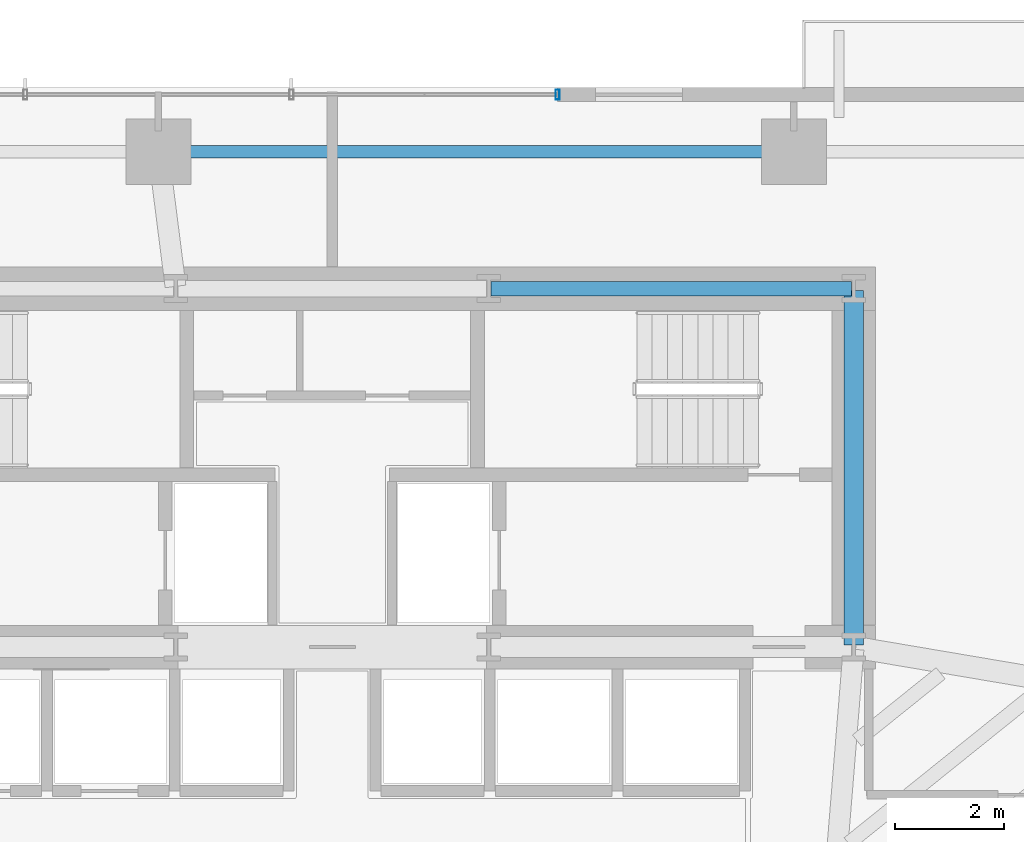
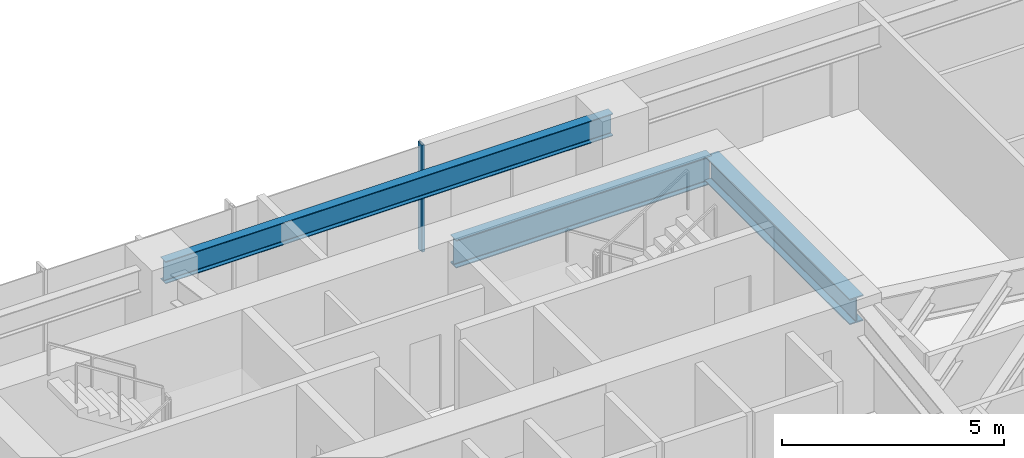
# One storey, part 15 of 25: 3 beams, 1 member, 1 element without a shape of its own.
"""IFC4 building model written with IfcOpenShell, lengths in metres."""

from ifc_helpers import new_model, si_unit, direction, frame, origin, origin_2d, place, context, subcontext, project, spatial, hollow_rectangle, i_section, extrude, source, transform, mapped, material, material_profile, profile_set, type_object, type_shapes, element, aggregate, save


model = new_model("IFC4")

# Units and contexts
model_context = context("Model", 3, precision=1e-05, world=origin(), true_north=direction((0.0, 1.0)))
body_context = subcontext(model_context, "Body", "Model", "MODEL_VIEW")
ifc_project = project(units=[si_unit("LENGTHUNIT", "METRE"), si_unit("AREAUNIT", "SQUARE_METRE"), si_unit("VOLUMEUNIT", "CUBIC_METRE"), si_unit("PLANEANGLEUNIT", "RADIAN"), si_unit("MASSUNIT", "GRAM", prefix="KILO")], contexts=[model_context])

# Site, building, storey
site_placement = place(None, origin())
site = spatial("IfcSite", under=ifc_project, at=site_placement, CompositionType="ELEMENT")
building_placement = place(site_placement, origin())
building = spatial("IfcBuilding", under=site, at=building_placement, Name="Astriad Promenade Condominiums", CompositionType="ELEMENT")
storey_placement = place(building_placement, frame((0.0, 0.0, 32.60009765625)))
storey = spatial("IfcBuildingStorey", under=building, at=storey_placement, Name="L08", CompositionType="ELEMENT", Elevation=32.60009765625)

# Beams
ifc_material_1 = material(Name="Steel ASTM A992 Grade 50", Category="steel")
ifc_material_profile_1 = material_profile(ifc_material_1, i_section(OverallWidth=0.267822265625, OverallDepth=0.76953125, WebThickness=0.015625, FlangeThickness=0.025390625, FilletRadius=0.021484375, at=origin_2d()), Name="W30X132")
ifc_profile_set_1 = profile_set([ifc_material_profile_1], Name="Steel ASTM A992 Grade 50")
beam_type_1 = type_object("IfcBeamType", Name="STEEL FLOOR GIRDER W30X132", PredefinedType="BEAM", material=ifc_profile_set_1)
shared_shape_1 = source(origin(), body_context, "Body", "SweptSolid", [
    extrude(i_section(OverallWidth=0.267822265625, OverallDepth=0.76953125, WebThickness=0.015625, FlangeThickness=0.025390625, FilletRadius=0.021484375, at=origin_2d()), origin(), (0.0, 0.0, 1.0), 6.64013671875),
])
type_shapes(beam_type_1, [shared_shape_1])
beam_1_placement = place(storey_placement, frame((38.919921875, 24.0, 2.55517578125), z_axis=(1.0, 0.0, 0.0), x_axis=(0.0, 1.0, 0.0)))
element("IfcBeam", 1, at=beam_1_placement, inside=storey, type_object=beam_type_1, Name="Core Ring Beam CG-N3-L08", PredefinedType="BEAM", context=body_context, shape_type="MappedRepresentation", body=[
    mapped(shared_shape_1, transform((0.0, 0.0, 0.0), scale=1.0)),
])
ifc_material_profile_2 = material_profile(ifc_material_1, i_section(OverallWidth=0.35791015625, OverallDepth=0.706298828125, WebThickness=0.018310546875, FlangeThickness=0.0302734375, FilletRadius=0.020263671875, at=origin_2d()), Name="W27X178")
ifc_profile_set_2 = profile_set([ifc_material_profile_2], Name="Steel ASTM A992 Grade 50")
beam_type_2 = type_object("IfcBeamType", Name="STEEL FLOOR GIRDER W27X178", PredefinedType="BEAM", material=ifc_profile_set_2)
shared_shape_2 = source(origin(), body_context, "Body", "SweptSolid", [
    extrude(i_section(OverallWidth=0.35791015625, OverallDepth=0.706298828125, WebThickness=0.018310546875, FlangeThickness=0.0302734375, FilletRadius=0.020263671875, at=origin_2d()), origin(), (0.0, 0.0, 1.0), 6.52001953125),
])
type_shapes(beam_type_2, [shared_shape_2])
beam_2_placement = place(storey_placement, frame((45.60009765625, 17.43994140625, 2.586669921875), z_axis=(0.0, 1.0, 0.0), x_axis=(-1.0, 0.0, 0.0)))
element("IfcBeam", 2, at=beam_2_placement, inside=storey, type_object=beam_type_2, Name="Core Ring Beam CG-E1-L08", PredefinedType="BEAM", context=body_context, shape_type="MappedRepresentation", body=[
    mapped(shared_shape_2, transform((0.0, 0.0, 0.0), scale=1.0)),
])
ifc_material_profile_3 = material_profile(ifc_material_1, i_section(OverallWidth=0.22900390625, OverallDepth=0.612060546875, WebThickness=0.011962890625, FlangeThickness=0.01953125, FilletRadius=0.017822265625, at=origin_2d()), Name="W24X84")
ifc_profile_set_3 = profile_set([ifc_material_profile_3], Name="Steel ASTM A992 Grade 50")
beam_type_3 = type_object("IfcBeamType", Name="STEEL SPANDREL BEAM W24X84", PredefinedType="SPANDREL", material=ifc_profile_set_3)
shared_shape_3 = source(origin(), body_context, "Body", "SweptSolid", [
    extrude(i_section(OverallWidth=0.22900390625, OverallDepth=0.612060546875, WebThickness=0.011962890625, FlangeThickness=0.01953125, FilletRadius=0.017822265625, at=origin_2d()), origin(), (0.0, 0.0, 1.0), 11.619873046875),
])
type_shapes(beam_type_3, [shared_shape_3])
beam_3_placement = place(storey_placement, frame((44.4599609375, 26.52001953125, 2.6337890625), z_axis=(-1.0, 0.0, 0.0), x_axis=(0.0, -1.0, 0.0)))
element("IfcBeam", 3, at=beam_3_placement, inside=storey, type_object=beam_type_3, Name="Perimeter Spandrel Beam SP-N3-L08", PredefinedType="SPANDREL", context=body_context, shape_type="MappedRepresentation", body=[
    mapped(shared_shape_3, transform((0.0, 0.0, 0.0), scale=1.0)),
])

# Curtain wall, member
ifc_material_2 = material(Name="Anodised aluminium Black Dark Glass Unitised", Category="aluminium")
curtain_wall_type = type_object("IfcCurtainWallType", Name="CW-B1-DARK", PredefinedType="USERDEFINED", material=ifc_material_2)
curtain_wall_placement = place(storey_placement, origin())
curtain_wall = element("IfcCurtainWall", 4, at=curtain_wall_placement, inside=storey, type_object=curtain_wall_type, Name="CW-L08-N", ObjectType="UNITISED_CURTAIN_WALL", PredefinedType="USERDEFINED")
ifc_material_3 = material(Name="Anodised aluminium 6063-T6 Black", Category="aluminium")
ifc_material_profile_4 = material_profile(ifc_material_3, hollow_rectangle(XDim=0.074951171875, YDim=0.18505859375, WallThickness=0.00439453125, at=origin_2d()), Name="ALU-MUL-75X185")
ifc_profile_set_4 = profile_set([ifc_material_profile_4], Name="Anodised aluminium 6063-T6 Black")
member_type = type_object("IfcMemberType", Name="MUL-ALU-MUL-75X185", PredefinedType="MULLION", material=ifc_profile_set_4)
shared_shape_4 = source(origin(), body_context, "Body", "SweptSolid", [
    extrude(hollow_rectangle(XDim=0.074951171875, YDim=0.18505859375, WallThickness=0.00439453125, at=origin_2d()), origin(), (0.0, 0.0, 1.0), 2.93994140625),
])
type_shapes(member_type, [shared_shape_4])
member_placement = place(storey_placement, frame((40.14990234375, 27.570068359375, 0.0), z_axis=(0.0, 0.0, 1.0), x_axis=(1.0, 0.0, 0.0)))
member = element("IfcMember", 5, at=member_placement, type_object=member_type, Name="CW-L08-N-MUL-03", PredefinedType="MULLION", context=body_context, shape_type="MappedRepresentation", body=[
    mapped(shared_shape_4, transform((0.0, 0.0, 0.0), scale=1.0)),
])
aggregate(curtain_wall, [member])

save(model, "model.ifc")
